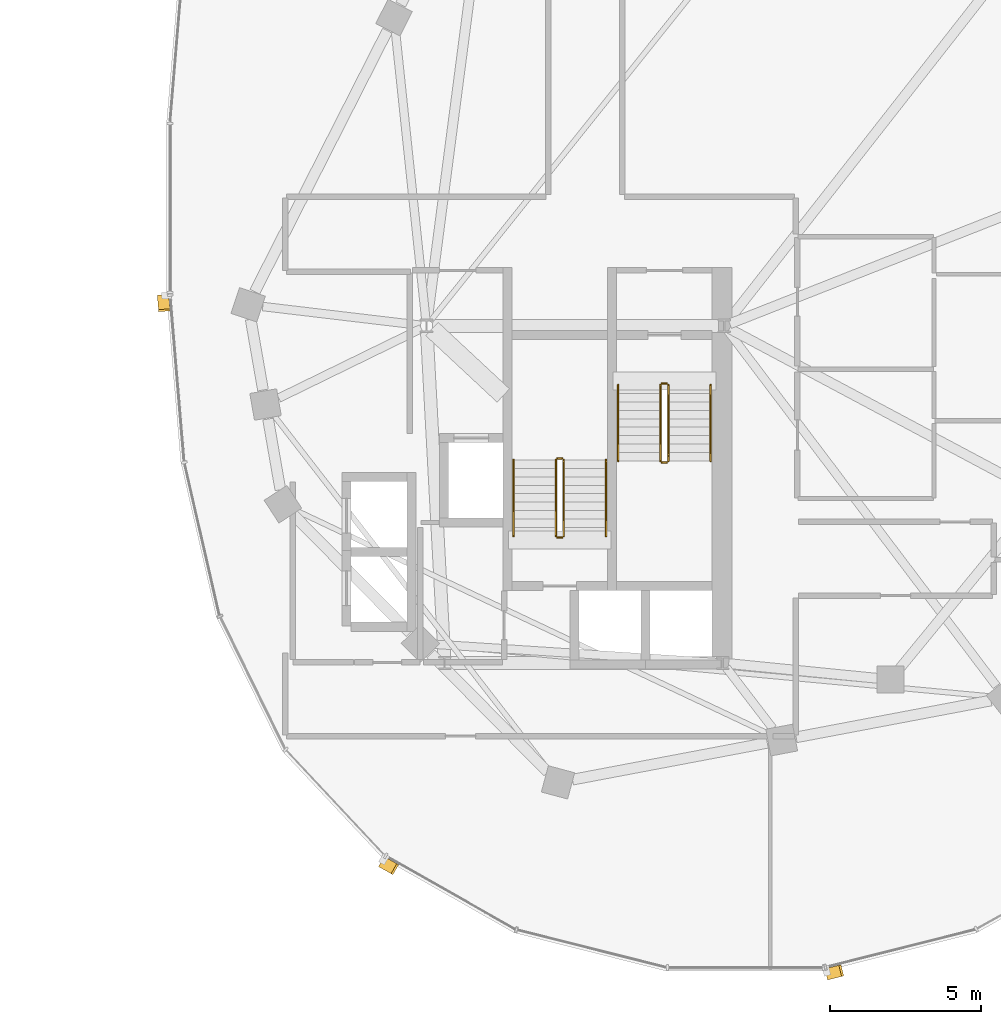
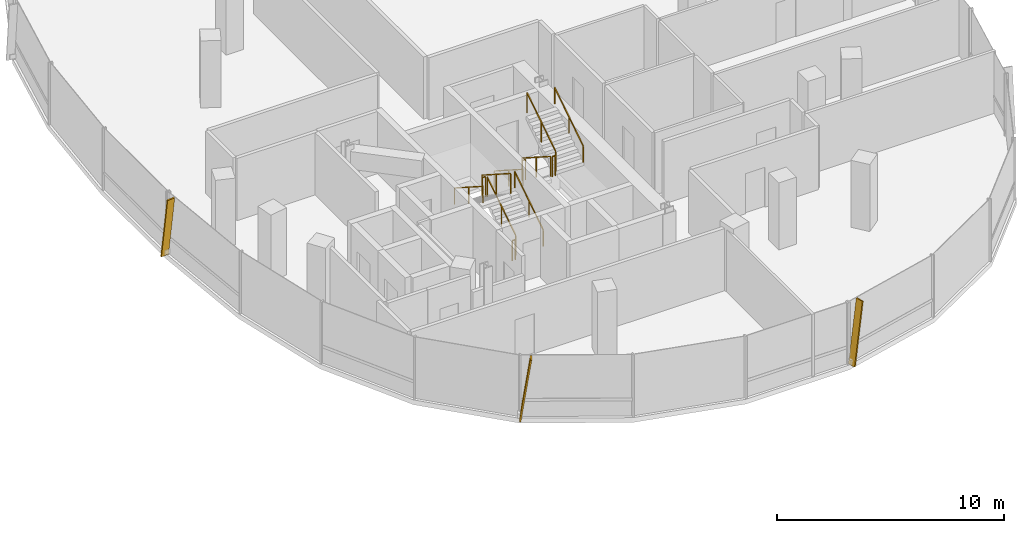
# One storey, part 24 of 25: 12 railings, 3 shading devices.
"""IFC4 building model written with IfcOpenShell, lengths in metres."""

from ifc_helpers import new_model, si_unit, direction, frame, origin, origin_2d, place, context, subcontext, project, spatial, rectangle, extrude, material, material_profile, profile_set, type_object, element, save


model = new_model("IFC4")

# Units and contexts
model_context = context("Model", 3, precision=1e-05, world=origin(), true_north=direction((0.0, 1.0)))
body_context = subcontext(model_context, "Body", "Model", "MODEL_VIEW")
ifc_project = project(units=[si_unit("LENGTHUNIT", "METRE"), si_unit("AREAUNIT", "SQUARE_METRE"), si_unit("VOLUMEUNIT", "CUBIC_METRE"), si_unit("PLANEANGLEUNIT", "RADIAN"), si_unit("MASSUNIT", "GRAM", prefix="KILO"), si_unit("THERMODYNAMICTEMPERATUREUNIT", "KELVIN"), si_unit("POWERUNIT", "WATT")], contexts=[model_context])

# Site, building, storey
site_placement = place(None, origin())
site = spatial("IfcSite", under=ifc_project, at=site_placement, CompositionType="ELEMENT")
building_placement = place(site_placement, origin())
building = spatial("IfcBuilding", under=site, at=building_placement, Name="Cundina Bronze Exchange", CompositionType="ELEMENT")
storey_placement = place(building_placement, frame((0.0, 0.0, 191.800048828125)))
storey = spatial("IfcBuildingStorey", under=building, at=storey_placement, Name="L50", CompositionType="ELEMENT", Elevation=191.800048828125)

# Railings
ifc_material_1 = material(Name="Steel ASTM A36 Painted", Category="steel")
railing_type_1 = type_object("IfcRailingType", Name="RLG-HND-900", PredefinedType="HANDRAIL", material=ifc_material_1)
railing_1_placement = place(storey_placement, frame((27.7900390625, -5.85009765625, 0.179931640625)))
element("IfcRailing", 1, at=railing_1_placement, inside=storey, type_object=railing_type_1, Name="L50 ST-E1 stair handrail 1", PredefinedType="HANDRAIL", context=body_context, shape_type="SweptSolid", body=[
    extrude(rectangle(XDim=0.048095703125, YDim=0.048095703125, at=origin_2d()), frame((0.0, 0.0, 0.8759765625), z_axis=(0.0, -0.841162588446, 0.540782303519), x_axis=(1.0, 0.0, 0.0)), (0.0, 0.0, 1.0), 2.995849609375),
    extrude(rectangle(XDim=0.0419921875, YDim=0.0419921875, at=origin_2d()), origin(), (0.0, 0.0, 1.0), 0.851806640625),
    extrude(rectangle(XDim=0.0419921875, YDim=0.0419921875, at=origin_2d()), frame((0.0, -1.260009765625, 0.81005859375)), (0.0, 0.0, 1.0), 0.851806640625),
    extrude(rectangle(XDim=0.0419921875, YDim=0.0419921875, at=origin_2d()), frame((0.0, -2.52001953125, 1.6201171875)), (0.0, 0.0, 1.0), 0.851806640625),
])
railing_2_placement = place(storey_placement, frame((30.85009765625, -8.3701171875, 1.97998046875)))
element("IfcRailing", 2, at=railing_2_placement, inside=storey, type_object=railing_type_1, Name="L50 ST-E1 stair handrail 2", PredefinedType="HANDRAIL", context=body_context, shape_type="SweptSolid", body=[
    extrude(rectangle(XDim=0.048095703125, YDim=0.048095703125, at=origin_2d()), frame((0.0, 0.0, 0.8759765625), z_axis=(0.0, 0.841199657755, 0.540724639528), x_axis=(-1.0, 0.0, 0.0)), (0.0, 0.0, 1.0), 2.995849609375),
    extrude(rectangle(XDim=0.0419921875, YDim=0.0419921875, at=origin_2d()), origin(), (0.0, 0.0, 1.0), 0.851806640625),
    extrude(rectangle(XDim=0.0419921875, YDim=0.0419921875, at=origin_2d()), frame((0.0, 1.260009765625, 0.81005859375)), (0.0, 0.0, 1.0), 0.851806640625),
    extrude(rectangle(XDim=0.0419921875, YDim=0.0419921875, at=origin_2d()), frame((0.0, 2.52001953125, 1.619873046875)), (0.0, 0.0, 1.0), 0.851806640625),
])
railing_3_placement = place(storey_placement, frame((27.389892578125, -10.85009765625, 0.179931640625)))
element("IfcRailing", 3, at=railing_3_placement, inside=storey, type_object=railing_type_1, Name="L50 ST-E2 stair handrail 1", PredefinedType="HANDRAIL", context=body_context, shape_type="SweptSolid", body=[
    extrude(rectangle(XDim=0.048095703125, YDim=0.048095703125, at=origin_2d()), frame((0.0, 0.0, 0.8759765625), z_axis=(0.0, 0.841162588446, 0.540782303519), x_axis=(-1.0, 0.0, 0.0)), (0.0, 0.0, 1.0), 2.995849609375),
    extrude(rectangle(XDim=0.0419921875, YDim=0.0419921875, at=origin_2d()), origin(), (0.0, 0.0, 1.0), 0.851806640625),
    extrude(rectangle(XDim=0.0419921875, YDim=0.0419921875, at=origin_2d()), frame((0.0, 1.260009765625, 0.81005859375)), (0.0, 0.0, 1.0), 0.851806640625),
    extrude(rectangle(XDim=0.0419921875, YDim=0.0419921875, at=origin_2d()), frame((0.0, 2.52001953125, 1.6201171875)), (0.0, 0.0, 1.0), 0.851806640625),
])
railing_4_placement = place(storey_placement, frame((24.330078125, -8.330078125, 1.97998046875)))
element("IfcRailing", 4, at=railing_4_placement, inside=storey, type_object=railing_type_1, Name="L50 ST-E2 stair handrail 2", PredefinedType="HANDRAIL", context=body_context, shape_type="SweptSolid", body=[
    extrude(rectangle(XDim=0.048095703125, YDim=0.048095703125, at=origin_2d()), frame((0.0, 0.0, 0.8759765625), z_axis=(0.0, -0.841199657755, 0.540724639528), x_axis=(1.0, 0.0, 0.0)), (0.0, 0.0, 1.0), 2.995849609375),
    extrude(rectangle(XDim=0.0419921875, YDim=0.0419921875, at=origin_2d()), origin(), (0.0, 0.0, 1.0), 0.851806640625),
    extrude(rectangle(XDim=0.0419921875, YDim=0.0419921875, at=origin_2d()), frame((0.0, -1.260009765625, 0.81005859375)), (0.0, 0.0, 1.0), 0.851806640625),
    extrude(rectangle(XDim=0.0419921875, YDim=0.0419921875, at=origin_2d()), frame((0.0, -2.52001953125, 1.619873046875)), (0.0, 0.0, 1.0), 0.851806640625),
])
railing_type_2 = type_object("IfcRailingType", Name="RLG-STG-1100", PredefinedType="GUARDRAIL", material=ifc_material_1)
railing_5_placement = place(storey_placement, frame((29.18994140625, -5.85009765625, 0.179931640625)))
element("IfcRailing", 5, at=railing_5_placement, inside=storey, type_object=railing_type_2, Name="L50 ST-E1 stair guard 1", PredefinedType="GUARDRAIL", context=body_context, shape_type="SweptSolid", body=[
    extrude(rectangle(XDim=0.048095703125, YDim=0.048095703125, at=origin_2d()), frame((0.0, 0.0, 1.076171875), z_axis=(0.0, -0.841162588446, 0.540782303519), x_axis=(1.0, 0.0, 0.0)), (0.0, 0.0, 1.0), 2.995849609375),
    extrude(rectangle(XDim=0.0419921875, YDim=0.0419921875, at=origin_2d()), origin(), (0.0, 0.0, 1.0), 1.052001953125),
    extrude(rectangle(XDim=0.0419921875, YDim=0.0419921875, at=origin_2d()), frame((0.0, -1.260009765625, 0.81005859375)), (0.0, 0.0, 1.0), 1.052001953125),
    extrude(rectangle(XDim=0.0419921875, YDim=0.0419921875, at=origin_2d()), frame((0.0, -2.52001953125, 1.6201171875)), (0.0, 0.0, 1.0), 1.052001953125),
])
railing_6_placement = place(storey_placement, frame((29.239990234375, -8.419921875, 1.800048828125)))
element("IfcRailing", 6, at=railing_6_placement, inside=storey, type_object=railing_type_2, Name="L50 ST-E1 stair guard 2", PredefinedType="GUARDRAIL", context=body_context, shape_type="SweptSolid", body=[
    extrude(rectangle(XDim=0.048095703125, YDim=0.048095703125, at=origin_2d()), frame((0.0, 0.0, 1.076171875), z_axis=(1.0, 0.0, 0.0), x_axis=(0.0, 1.0, 0.0)), (0.0, 0.0, 1.0), 0.159912109375),
    extrude(rectangle(XDim=0.0419921875, YDim=0.0419921875, at=origin_2d()), origin(), (0.0, 0.0, 1.0), 1.052001953125),
    extrude(rectangle(XDim=0.0419921875, YDim=0.0419921875, at=origin_2d()), frame((0.159912109375, 0.0, 0.0)), (0.0, 0.0, 1.0), 1.052001953125),
])
railing_7_placement = place(storey_placement, frame((29.449951171875, -8.3701171875, 1.97998046875)))
element("IfcRailing", 7, at=railing_7_placement, inside=storey, type_object=railing_type_2, Name="L50 ST-E1 stair guard 3", PredefinedType="GUARDRAIL", context=body_context, shape_type="SweptSolid", body=[
    extrude(rectangle(XDim=0.048095703125, YDim=0.048095703125, at=origin_2d()), frame((0.0, 0.0, 1.076171875), z_axis=(0.0, 0.841199657755, 0.540724639528), x_axis=(-1.0, 0.0, 0.0)), (0.0, 0.0, 1.0), 2.995849609375),
    extrude(rectangle(XDim=0.0419921875, YDim=0.0419921875, at=origin_2d()), origin(), (0.0, 0.0, 1.0), 1.052001953125),
    extrude(rectangle(XDim=0.0419921875, YDim=0.0419921875, at=origin_2d()), frame((0.0, 1.260009765625, 0.81005859375)), (0.0, 0.0, 1.0), 1.052001953125),
    extrude(rectangle(XDim=0.0419921875, YDim=0.0419921875, at=origin_2d()), frame((0.0, 2.52001953125, 1.619873046875)), (0.0, 0.0, 1.0), 1.052001953125),
])
railing_8_placement = place(storey_placement, frame((29.239990234375, -5.800048828125, 0.0)))
element("IfcRailing", 8, at=railing_8_placement, inside=storey, type_object=railing_type_2, Name="L50 ST-E1 stair guard 4", PredefinedType="GUARDRAIL", context=body_context, shape_type="SweptSolid", body=[
    extrude(rectangle(XDim=0.048095703125, YDim=0.048095703125, at=origin_2d()), frame((0.0, 0.0, 1.076171875), z_axis=(1.0, 0.0, 0.0), x_axis=(0.0, 1.0, 0.0)), (0.0, 0.0, 1.0), 0.159912109375),
    extrude(rectangle(XDim=0.0419921875, YDim=0.0419921875, at=origin_2d()), origin(), (0.0, 0.0, 1.0), 1.052001953125),
    extrude(rectangle(XDim=0.0419921875, YDim=0.0419921875, at=origin_2d()), frame((0.159912109375, 0.0, 0.0)), (0.0, 0.0, 1.0), 1.052001953125),
])
railing_9_placement = place(storey_placement, frame((25.989990234375, -10.85009765625, 0.179931640625)))
element("IfcRailing", 9, at=railing_9_placement, inside=storey, type_object=railing_type_2, Name="L50 ST-E2 stair guard 1", PredefinedType="GUARDRAIL", context=body_context, shape_type="SweptSolid", body=[
    extrude(rectangle(XDim=0.048095703125, YDim=0.048095703125, at=origin_2d()), frame((0.0, 0.0, 1.076171875), z_axis=(0.0, 0.841162588446, 0.540782303519), x_axis=(-1.0, 0.0, 0.0)), (0.0, 0.0, 1.0), 2.995849609375),
    extrude(rectangle(XDim=0.0419921875, YDim=0.0419921875, at=origin_2d()), origin(), (0.0, 0.0, 1.0), 1.052001953125),
    extrude(rectangle(XDim=0.0419921875, YDim=0.0419921875, at=origin_2d()), frame((0.0, 1.260009765625, 0.81005859375)), (0.0, 0.0, 1.0), 1.052001953125),
    extrude(rectangle(XDim=0.0419921875, YDim=0.0419921875, at=origin_2d()), frame((0.0, 2.52001953125, 1.6201171875)), (0.0, 0.0, 1.0), 1.052001953125),
])
railing_10_placement = place(storey_placement, frame((25.93994140625, -8.280029296875, 1.800048828125)))
element("IfcRailing", 10, at=railing_10_placement, inside=storey, type_object=railing_type_2, Name="L50 ST-E2 stair guard 2", PredefinedType="GUARDRAIL", context=body_context, shape_type="SweptSolid", body=[
    extrude(rectangle(XDim=0.048095703125, YDim=0.048095703125, at=origin_2d()), frame((0.0, 0.0, 1.076171875), z_axis=(-1.0, 0.0, 0.0), x_axis=(0.0, -1.0, 0.0)), (0.0, 0.0, 1.0), 0.159912109375),
    extrude(rectangle(XDim=0.0419921875, YDim=0.0419921875, at=origin_2d()), origin(), (0.0, 0.0, 1.0), 1.052001953125),
    extrude(rectangle(XDim=0.0419921875, YDim=0.0419921875, at=origin_2d()), frame((-0.159912109375, 0.0, 0.0)), (0.0, 0.0, 1.0), 1.052001953125),
])
railing_11_placement = place(storey_placement, frame((25.72998046875, -8.330078125, 1.97998046875)))
element("IfcRailing", 11, at=railing_11_placement, inside=storey, type_object=railing_type_2, Name="L50 ST-E2 stair guard 3", PredefinedType="GUARDRAIL", context=body_context, shape_type="SweptSolid", body=[
    extrude(rectangle(XDim=0.048095703125, YDim=0.048095703125, at=origin_2d()), frame((0.0, 0.0, 1.076171875), z_axis=(0.0, -0.841199657755, 0.540724639528), x_axis=(1.0, 0.0, 0.0)), (0.0, 0.0, 1.0), 2.995849609375),
    extrude(rectangle(XDim=0.0419921875, YDim=0.0419921875, at=origin_2d()), origin(), (0.0, 0.0, 1.0), 1.052001953125),
    extrude(rectangle(XDim=0.0419921875, YDim=0.0419921875, at=origin_2d()), frame((0.0, -1.260009765625, 0.81005859375)), (0.0, 0.0, 1.0), 1.052001953125),
    extrude(rectangle(XDim=0.0419921875, YDim=0.0419921875, at=origin_2d()), frame((0.0, -2.52001953125, 1.619873046875)), (0.0, 0.0, 1.0), 1.052001953125),
])
railing_12_placement = place(storey_placement, frame((25.93994140625, -10.89990234375, 0.0)))
element("IfcRailing", 12, at=railing_12_placement, inside=storey, type_object=railing_type_2, Name="L50 ST-E2 stair guard 4", PredefinedType="GUARDRAIL", context=body_context, shape_type="SweptSolid", body=[
    extrude(rectangle(XDim=0.048095703125, YDim=0.048095703125, at=origin_2d()), frame((0.0, 0.0, 1.076171875), z_axis=(-1.0, 0.0, 0.0), x_axis=(0.0, -1.0, 0.0)), (0.0, 0.0, 1.0), 0.159912109375),
    extrude(rectangle(XDim=0.0419921875, YDim=0.0419921875, at=origin_2d()), origin(), (0.0, 0.0, 1.0), 1.052001953125),
    extrude(rectangle(XDim=0.0419921875, YDim=0.0419921875, at=origin_2d()), frame((-0.159912109375, 0.0, 0.0)), (0.0, 0.0, 1.0), 1.052001953125),
])

# Shading devices
ifc_material_2 = material(Name="Anodised Bronze Aluminium 6063-T6", Category="aluminium")
ifc_material_profile = material_profile(ifc_material_2, rectangle(XDim=0.070068359375, YDim=0.3798828125, at=origin_2d()), Name="FIN70X380", Category="aluminium")
ifc_profile_set = profile_set([ifc_material_profile], Name="Anodised Bronze Aluminium 6063-T6")
shading_device_type = type_object("IfcShadingDeviceType", Name="SHD-FIN-BRZ380", PredefinedType="USERDEFINED", material=ifc_profile_set)
for number, where, z_axis, x_axis, name in (
    (13, (12.735595703125, -2.90283203125, 0.02001953125), (0.012006555776, -0.143419772964, 0.98958911238), (-0.082555834947, 0.986139516224, 0.143921466983), "L50 Diagonal Bronze Solar Fin 1"),
    (14, (19.984375, -21.635498046875, 0.02001953125), (0.125189514072, -0.071087145125, 0.989582843103), (-0.860526986551, 0.488638423358, 0.143964567292), "L50 Diagonal Bronze Solar Fin 5"),
    (15, (34.705810546875, -25.344482421875, 0.02001953125), (0.139611891367, 0.03514090606, 0.989582556693), (-0.959650042543, -0.24154799183, 0.143966536007), "L50 Diagonal Bronze Solar Fin 1"),
):
    element("IfcShadingDevice", number, at=place(storey_placement, frame(where, z_axis=z_axis, x_axis=x_axis)), inside=storey, type_object=shading_device_type, Name=name, ObjectType="FIN", PredefinedType="USERDEFINED", context=body_context, shape_type="SweptSolid", body=[
        extrude(rectangle(XDim=0.070068359375, YDim=0.3798828125, at=origin_2d()), origin(), (0.0, 0.0, 1.0), 3.334716796875),
    ])

save(model, "model.ifc")
